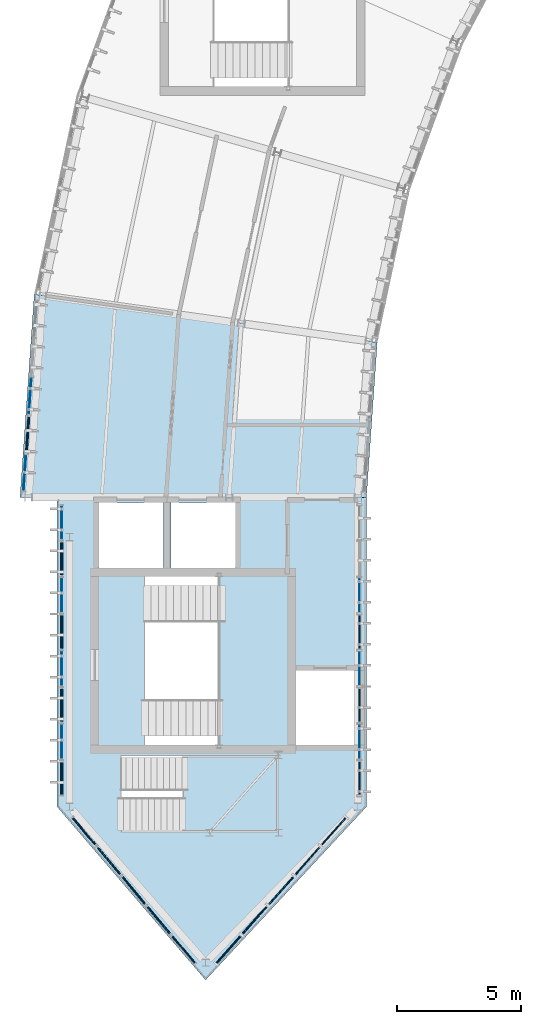
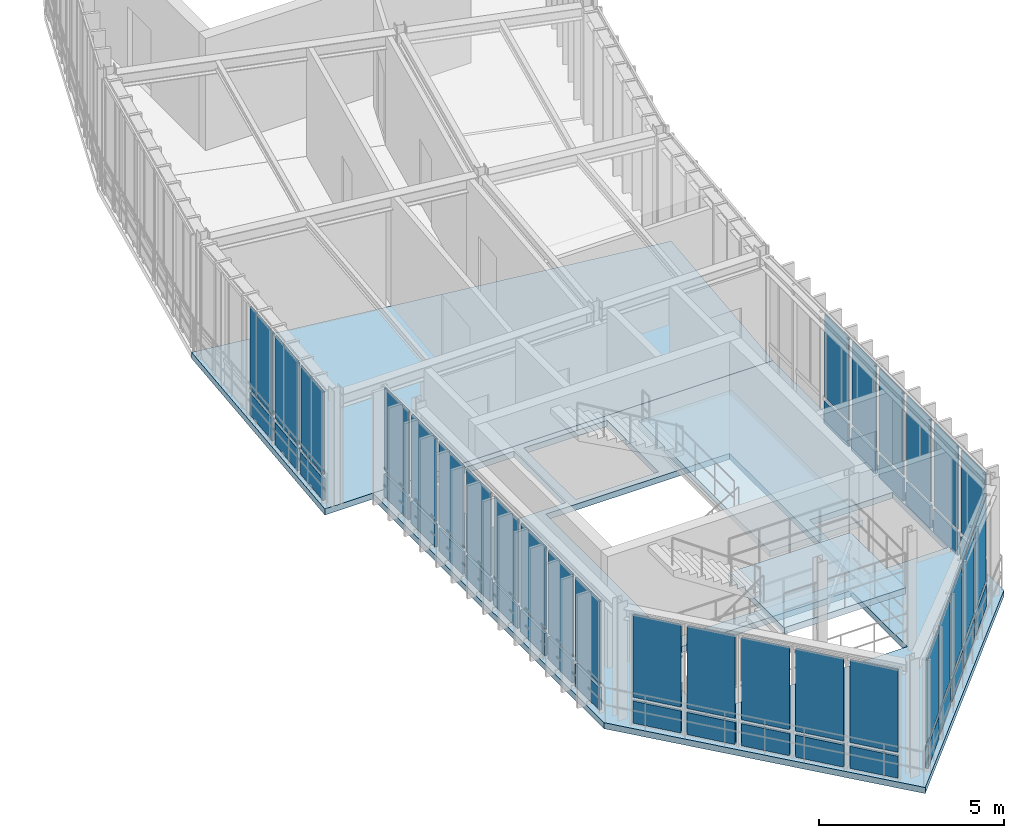
# One storey, part 9 of 25: 54 plates, 4 slabs, 7 elements without a shape of their own.
"""IFC4 building model written with IfcOpenShell, lengths in metres."""

from ifc_helpers import new_model, si_unit, direction, frame, origin, origin_2d, place, context, subcontext, project, spatial, polyline, rectangle, outline, extrude, material, layer, layer_set, type_object, element, aggregate, save


model = new_model("IFC4")

# Units and contexts
model_context = context("Model", 3, precision=1e-05, world=origin(), true_north=direction((0.0, 1.0)))
body_context = subcontext(model_context, "Body", "Model", "MODEL_VIEW")
ifc_project = project(units=[si_unit("LENGTHUNIT", "METRE"), si_unit("AREAUNIT", "SQUARE_METRE"), si_unit("VOLUMEUNIT", "CUBIC_METRE"), si_unit("PLANEANGLEUNIT", "RADIAN"), si_unit("MASSUNIT", "GRAM", prefix="KILO"), si_unit("THERMODYNAMICTEMPERATUREUNIT", "KELVIN"), si_unit("POWERUNIT", "WATT")], contexts=[model_context])

# Site, building, storey
site_placement = place(None, origin())
site = spatial("IfcSite", under=ifc_project, at=site_placement, CompositionType="ELEMENT")
building_placement = place(site_placement, origin())
building = spatial("IfcBuilding", under=site, at=building_placement, Name="Solvatero Civic Police Headquarters", CompositionType="ELEMENT")
storey_placement = place(building_placement, frame((0.0, 0.0, 25.5)))
storey = spatial("IfcBuildingStorey", under=building, at=storey_placement, Name="L06", CompositionType="ELEMENT", Elevation=25.5)

# Curtain wall, plates
ifc_material_1 = material(Name="Anodized Bronze Aluminium", Category="aluminium")
ifc_layer_1 = layer(ifc_material_1, 0.179931640625)
ifc_layer_set_1 = layer_set([ifc_layer_1], Name="Anodized Bronze Aluminium")
curtain_wall_type_1 = type_object("IfcCurtainWallType", Name="CW-ARC-OUT", PredefinedType="USERDEFINED", material=ifc_layer_set_1)
curtain_wall_1_placement = place(storey_placement, origin())
curtain_wall_1 = element("IfcCurtainWall", 1, at=curtain_wall_1_placement, inside=storey, type_object=curtain_wall_type_1, Name="Curtain Wall CW-R2-L06-ARC-OUT-B12", ObjectType="UNITISED", PredefinedType="USERDEFINED")
ifc_material_2 = material(Name="Triple Low-E Laminated Glass", Category="glass")
ifc_layer_2 = layer(ifc_material_2, 0.0380859375)
ifc_layer_set_2 = layer_set([ifc_layer_2], Name="Triple Low-E Laminated Glass")
plate_type_1 = type_object("IfcPlateType", Name="CWP-GLZ-38", PredefinedType="CURTAIN_PANEL", material=ifc_layer_set_2)
plate_1_placement = place(storey_placement, frame((35.40673828125, 30.102294921875, 0.909912109375), z_axis=(0.0, 0.0, 1.0), x_axis=(-0.069739062956, -0.997565267588, 0.0)))
plate_1 = element("IfcPlate", 2, at=plate_1_placement, type_object=plate_type_1, Name="CW-R2-L06-ARC-OUT-B12 Vision Glazing 3", PredefinedType="CURTAIN_PANEL", context=body_context, shape_type="SweptSolid", body=[
    extrude(rectangle(XDim=1.382568359375, YDim=0.0380859375, at=origin_2d()), origin(), (0.0, 0.0, 1.0), 2.72998046875),
])
plate_2_placement = place(storey_placement, frame((35.188720703125, 26.98486328125, 0.909912109375), z_axis=(0.0, 0.0, 1.0), x_axis=(-0.069739062956, -0.997565267588, 0.0)))
plate_2 = element("IfcPlate", 3, at=plate_2_placement, type_object=plate_type_1, Name="CW-R2-L06-ARC-OUT-B12 Vision Glazing 5", PredefinedType="CURTAIN_PANEL", context=body_context, shape_type="SweptSolid", body=[
    extrude(rectangle(XDim=1.382568359375, YDim=0.0380859375, at=origin_2d()), origin(), (0.0, 0.0, 1.0), 2.72998046875),
])

ifc_layer_3 = layer(ifc_material_1, 0.179931640625)
ifc_layer_set_3 = layer_set([ifc_layer_3], Name="Anodized Bronze Aluminium")
curtain_wall_type_2 = type_object("IfcCurtainWallType", Name="CW-PROW-GLZ", PredefinedType="USERDEFINED", material=ifc_layer_set_3)
curtain_wall_2_placement = place(storey_placement, origin())
curtain_wall_2 = element("IfcCurtainWall", 4, at=curtain_wall_2_placement, inside=storey, type_object=curtain_wall_type_2, Name="Curtain Wall CW-R2-L06-PROW-W", ObjectType="UNITISED", PredefinedType="USERDEFINED")
plate_3_placement = place(storey_placement, frame((36.679931640625, 25.00048828125, 0.909912109375), z_axis=(0.0, 0.0, 1.0), x_axis=(0.0, -1.0, 0.0)))
plate_3 = element("IfcPlate", 5, at=plate_3_placement, type_object=plate_type_1, Name="CW-R2-L06-PROW-W Vision Glazing 1", PredefinedType="CURTAIN_PANEL", context=body_context, shape_type="SweptSolid", body=[
    extrude(rectangle(XDim=1.298583984375, YDim=0.0380859375, at=origin_2d()), origin(), (0.0, 0.0, 1.0), 2.72998046875),
])
plate_4_placement = place(storey_placement, frame((36.679931640625, 22.043212890625, 0.909912109375), z_axis=(0.0, 0.0, 1.0), x_axis=(0.0, -1.0, 0.0)))
plate_4 = element("IfcPlate", 6, at=plate_4_placement, type_object=plate_type_1, Name="CW-R2-L06-PROW-W Vision Glazing 3", PredefinedType="CURTAIN_PANEL", context=body_context, shape_type="SweptSolid", body=[
    extrude(rectangle(XDim=1.298828125, YDim=0.0380859375, at=origin_2d()), origin(), (0.0, 0.0, 1.0), 2.72998046875),
])
plate_5_placement = place(storey_placement, frame((36.679931640625, 19.085693359375, 0.909912109375), z_axis=(0.0, 0.0, 1.0), x_axis=(0.0, -1.0, 0.0)))
plate_5 = element("IfcPlate", 7, at=plate_5_placement, type_object=plate_type_1, Name="CW-R2-L06-PROW-W Vision Glazing 5", PredefinedType="CURTAIN_PANEL", context=body_context, shape_type="SweptSolid", body=[
    extrude(rectangle(XDim=1.298828125, YDim=0.0380859375, at=origin_2d()), origin(), (0.0, 0.0, 1.0), 2.72998046875),
])
plate_6_placement = place(storey_placement, frame((36.679931640625, 16.128173828125, 0.909912109375), z_axis=(0.0, 0.0, 1.0), x_axis=(0.0, -1.0, 0.0)))
plate_6 = element("IfcPlate", 8, at=plate_6_placement, type_object=plate_type_1, Name="CW-R2-L06-PROW-W Vision Glazing 7", PredefinedType="CURTAIN_PANEL", context=body_context, shape_type="SweptSolid", body=[
    extrude(rectangle(XDim=1.298828125, YDim=0.0380859375, at=origin_2d()), origin(), (0.0, 0.0, 1.0), 2.72998046875),
])

curtain_wall_3_placement = place(storey_placement, origin())
curtain_wall_3 = element("IfcCurtainWall", 9, at=curtain_wall_3_placement, inside=storey, type_object=curtain_wall_type_2, Name="Curtain Wall CW-R2-L06-PROW-E", ObjectType="UNITISED", PredefinedType="USERDEFINED")
plate_7_placement = place(storey_placement, frame((48.719970703125, 16.128173828125, 0.909912109375), z_axis=(0.0, 0.0, 1.0), x_axis=(0.0, 1.0, 0.0)))
plate_7 = element("IfcPlate", 10, at=plate_7_placement, type_object=plate_type_1, Name="CW-R2-L06-PROW-E Vision Glazing 2", PredefinedType="CURTAIN_PANEL", context=body_context, shape_type="SweptSolid", body=[
    extrude(rectangle(XDim=1.298583984375, YDim=0.0380859375, at=origin_2d()), origin(), (0.0, 0.0, 1.0), 2.72998046875),
])
plate_8_placement = place(storey_placement, frame((48.719970703125, 19.085693359375, 0.909912109375), z_axis=(0.0, 0.0, 1.0), x_axis=(0.0, 1.0, 0.0)))
plate_8 = element("IfcPlate", 11, at=plate_8_placement, type_object=plate_type_1, Name="CW-R2-L06-PROW-E Vision Glazing 4", PredefinedType="CURTAIN_PANEL", context=body_context, shape_type="SweptSolid", body=[
    extrude(rectangle(XDim=1.298828125, YDim=0.0380859375, at=origin_2d()), origin(), (0.0, 0.0, 1.0), 2.72998046875),
])
plate_9_placement = place(storey_placement, frame((48.719970703125, 22.043212890625, 0.909912109375), z_axis=(0.0, 0.0, 1.0), x_axis=(0.0, 1.0, 0.0)))
plate_9 = element("IfcPlate", 12, at=plate_9_placement, type_object=plate_type_1, Name="CW-R2-L06-PROW-E Vision Glazing 6", PredefinedType="CURTAIN_PANEL", context=body_context, shape_type="SweptSolid", body=[
    extrude(rectangle(XDim=1.298828125, YDim=0.0380859375, at=origin_2d()), origin(), (0.0, 0.0, 1.0), 2.72998046875),
])

curtain_wall_4_placement = place(storey_placement, origin())
curtain_wall_4 = element("IfcCurtainWall", 13, at=curtain_wall_4_placement, inside=storey, type_object=curtain_wall_type_2, Name="Curtain Wall CW-R2-L06-PROW-SW", ObjectType="UNITISED", PredefinedType="USERDEFINED")
plate_10_placement = place(storey_placement, frame((37.5908203125, 12.50634765625, 0.909912109375), z_axis=(0.0, 0.0, 1.0), x_axis=(0.643282165541, -0.765629189293, 0.0)))
plate_10 = element("IfcPlate", 14, at=plate_10_placement, type_object=plate_type_1, Name="CW-R2-L06-PROW-SW Vision Glazing 1", PredefinedType="CURTAIN_PANEL", context=body_context, shape_type="SweptSolid", body=[
    extrude(rectangle(XDim=1.381591796875, YDim=0.0380859375, at=origin_2d()), origin(), (0.0, 0.0, 1.0), 2.72998046875),
])
plate_11_placement = place(storey_placement, frame((39.60009765625, 10.114990234375, 0.909912109375), z_axis=(0.0, 0.0, 1.0), x_axis=(0.643282165541, -0.765629189293, 0.0)))
plate_11 = element("IfcPlate", 15, at=plate_11_placement, type_object=plate_type_1, Name="CW-R2-L06-PROW-SW Vision Glazing 3", PredefinedType="CURTAIN_PANEL", context=body_context, shape_type="SweptSolid", body=[
    extrude(rectangle(XDim=1.381591796875, YDim=0.0380859375, at=origin_2d()), origin(), (0.0, 0.0, 1.0), 2.72998046875),
])
plate_12_placement = place(storey_placement, frame((41.609130859375, 7.723876953125, 0.909912109375), z_axis=(0.0, 0.0, 1.0), x_axis=(0.643282165541, -0.765629189293, 0.0)))
plate_12 = element("IfcPlate", 16, at=plate_12_placement, type_object=plate_type_1, Name="CW-R2-L06-PROW-SW Vision Glazing 5", PredefinedType="CURTAIN_PANEL", context=body_context, shape_type="SweptSolid", body=[
    extrude(rectangle(XDim=1.381591796875, YDim=0.0380859375, at=origin_2d()), origin(), (0.0, 0.0, 1.0), 2.72998046875),
])

curtain_wall_5_placement = place(storey_placement, origin())
curtain_wall_5 = element("IfcCurtainWall", 17, at=curtain_wall_5_placement, inside=storey, type_object=curtain_wall_type_2, Name="Curtain Wall CW-R2-L06-PROW-SE", ObjectType="UNITISED", PredefinedType="USERDEFINED")
plate_13_placement = place(storey_placement, frame((44.486083984375, 8.9189453125, 0.909912109375), z_axis=(0.0, 0.0, 1.0), x_axis=(0.664656781592, 0.747148822313, 0.0)))
plate_13 = element("IfcPlate", 18, at=plate_13_placement, type_object=plate_type_1, Name="CW-R2-L06-PROW-SE Vision Glazing 2", PredefinedType="CURTAIN_PANEL", context=body_context, shape_type="SweptSolid", body=[
    extrude(rectangle(XDim=1.4208984375, YDim=0.0380859375, at=origin_2d()), origin(), (0.0, 0.0, 1.0), 2.72998046875),
])
plate_14_placement = place(storey_placement, frame((46.614013671875, 11.31103515625, 0.909912109375), z_axis=(0.0, 0.0, 1.0), x_axis=(0.664656781592, 0.747148822313, 0.0)))
plate_14 = element("IfcPlate", 19, at=plate_14_placement, type_object=plate_type_1, Name="CW-R2-L06-PROW-SE Vision Glazing 4", PredefinedType="CURTAIN_PANEL", context=body_context, shape_type="SweptSolid", body=[
    extrude(rectangle(XDim=1.4208984375, YDim=0.0380859375, at=origin_2d()), origin(), (0.0, 0.0, 1.0), 2.72998046875),
])

# Plate
ifc_material_3 = material(Name="Acoustic Ballistic Laminated Glass", Category="glass")
ifc_layer_4 = layer(ifc_material_3, 0.0439453125)
ifc_layer_set_4 = layer_set([ifc_layer_4], Name="Acoustic Ballistic Laminated Glass")
plate_type_2 = type_object("IfcPlateType", Name="CWP-GLZ-44", PredefinedType="CURTAIN_PANEL", material=ifc_layer_set_4)
plate_15_placement = place(storey_placement, frame((35.2978515625, 28.543701171875, 0.909912109375), z_axis=(0.0, 0.0, 1.0), x_axis=(-0.069739062956, -0.997565267588, 0.0)))
plate_15 = element("IfcPlate", 20, at=plate_15_placement, type_object=plate_type_2, Name="CW-R2-L06-ARC-OUT-B12 Vision Glazing 4", PredefinedType="CURTAIN_PANEL", context=body_context, shape_type="SweptSolid", body=[
    extrude(rectangle(XDim=1.382568359375, YDim=0.0439453125, at=origin_2d()), origin(), (0.0, 0.0, 1.0), 2.72998046875),
])

plate_16_placement = place(storey_placement, frame((36.679931640625, 23.52197265625, 0.909912109375), z_axis=(0.0, 0.0, 1.0), x_axis=(0.0, -1.0, 0.0)))
plate_16 = element("IfcPlate", 21, at=plate_16_placement, type_object=plate_type_2, Name="CW-R2-L06-PROW-W Vision Glazing 2", PredefinedType="CURTAIN_PANEL", context=body_context, shape_type="SweptSolid", body=[
    extrude(rectangle(XDim=1.298583984375, YDim=0.0439453125, at=origin_2d()), origin(), (0.0, 0.0, 1.0), 2.72998046875),
])

plate_17_placement = place(storey_placement, frame((36.679931640625, 20.564453125, 0.909912109375), z_axis=(0.0, 0.0, 1.0), x_axis=(0.0, -1.0, 0.0)))
plate_17 = element("IfcPlate", 22, at=plate_17_placement, type_object=plate_type_2, Name="CW-R2-L06-PROW-W Vision Glazing 4", PredefinedType="CURTAIN_PANEL", context=body_context, shape_type="SweptSolid", body=[
    extrude(rectangle(XDim=1.298828125, YDim=0.0439453125, at=origin_2d()), origin(), (0.0, 0.0, 1.0), 2.72998046875),
])

plate_18_placement = place(storey_placement, frame((36.679931640625, 17.60693359375, 0.909912109375), z_axis=(0.0, 0.0, 1.0), x_axis=(0.0, -1.0, 0.0)))
plate_18 = element("IfcPlate", 23, at=plate_18_placement, type_object=plate_type_2, Name="CW-R2-L06-PROW-W Vision Glazing 6", PredefinedType="CURTAIN_PANEL", context=body_context, shape_type="SweptSolid", body=[
    extrude(rectangle(XDim=1.298828125, YDim=0.0439453125, at=origin_2d()), origin(), (0.0, 0.0, 1.0), 2.72998046875),
])

plate_19_placement = place(storey_placement, frame((36.679931640625, 14.6494140625, 0.909912109375), z_axis=(0.0, 0.0, 1.0), x_axis=(0.0, -1.0, 0.0)))
plate_19 = element("IfcPlate", 24, at=plate_19_placement, type_object=plate_type_2, Name="CW-R2-L06-PROW-W Vision Glazing 8", PredefinedType="CURTAIN_PANEL", context=body_context, shape_type="SweptSolid", body=[
    extrude(rectangle(XDim=1.298828125, YDim=0.0439453125, at=origin_2d()), origin(), (0.0, 0.0, 1.0), 2.72998046875),
])

plate_20_placement = place(storey_placement, frame((48.719970703125, 14.6494140625, 0.909912109375), z_axis=(0.0, 0.0, 1.0), x_axis=(0.0, 1.0, 0.0)))
plate_20 = element("IfcPlate", 25, at=plate_20_placement, type_object=plate_type_2, Name="CW-R2-L06-PROW-E Vision Glazing 1", PredefinedType="CURTAIN_PANEL", context=body_context, shape_type="SweptSolid", body=[
    extrude(rectangle(XDim=1.298583984375, YDim=0.0439453125, at=origin_2d()), origin(), (0.0, 0.0, 1.0), 2.72998046875),
])

plate_21_placement = place(storey_placement, frame((48.719970703125, 17.60693359375, 0.909912109375), z_axis=(0.0, 0.0, 1.0), x_axis=(0.0, 1.0, 0.0)))
plate_21 = element("IfcPlate", 26, at=plate_21_placement, type_object=plate_type_2, Name="CW-R2-L06-PROW-E Vision Glazing 3", PredefinedType="CURTAIN_PANEL", context=body_context, shape_type="SweptSolid", body=[
    extrude(rectangle(XDim=1.298828125, YDim=0.0439453125, at=origin_2d()), origin(), (0.0, 0.0, 1.0), 2.72998046875),
])

plate_22_placement = place(storey_placement, frame((48.719970703125, 20.564453125, 0.909912109375), z_axis=(0.0, 0.0, 1.0), x_axis=(0.0, 1.0, 0.0)))
plate_22 = element("IfcPlate", 27, at=plate_22_placement, type_object=plate_type_2, Name="CW-R2-L06-PROW-E Vision Glazing 5", PredefinedType="CURTAIN_PANEL", context=body_context, shape_type="SweptSolid", body=[
    extrude(rectangle(XDim=1.298828125, YDim=0.0439453125, at=origin_2d()), origin(), (0.0, 0.0, 1.0), 2.72998046875),
])

plate_23_placement = place(storey_placement, frame((38.595458984375, 11.310791015625, 0.909912109375), z_axis=(0.0, 0.0, 1.0), x_axis=(0.643282165541, -0.765629189293, 0.0)))
plate_23 = element("IfcPlate", 28, at=plate_23_placement, type_object=plate_type_2, Name="CW-R2-L06-PROW-SW Vision Glazing 2", PredefinedType="CURTAIN_PANEL", context=body_context, shape_type="SweptSolid", body=[
    extrude(rectangle(XDim=1.381591796875, YDim=0.0439453125, at=origin_2d()), origin(), (0.0, 0.0, 1.0), 2.72998046875),
])

plate_24_placement = place(storey_placement, frame((40.6044921875, 8.91943359375, 0.909912109375), z_axis=(0.0, 0.0, 1.0), x_axis=(0.643282165541, -0.765629189293, 0.0)))
plate_24 = element("IfcPlate", 29, at=plate_24_placement, type_object=plate_type_2, Name="CW-R2-L06-PROW-SW Vision Glazing 4", PredefinedType="CURTAIN_PANEL", context=body_context, shape_type="SweptSolid", body=[
    extrude(rectangle(XDim=1.381591796875, YDim=0.0439453125, at=origin_2d()), origin(), (0.0, 0.0, 1.0), 2.72998046875),
])

plate_25_placement = place(storey_placement, frame((43.421875, 7.722900390625, 0.909912109375), z_axis=(0.0, 0.0, 1.0), x_axis=(0.664656781592, 0.747148822313, 0.0)))
plate_25 = element("IfcPlate", 30, at=plate_25_placement, type_object=plate_type_2, Name="CW-R2-L06-PROW-SE Vision Glazing 1", PredefinedType="CURTAIN_PANEL", context=body_context, shape_type="SweptSolid", body=[
    extrude(rectangle(XDim=1.4208984375, YDim=0.0439453125, at=origin_2d()), origin(), (0.0, 0.0, 1.0), 2.72998046875),
])

plate_26_placement = place(storey_placement, frame((45.550048828125, 10.114990234375, 0.909912109375), z_axis=(0.0, 0.0, 1.0), x_axis=(0.664656781592, 0.747148822313, 0.0)))
plate_26 = element("IfcPlate", 31, at=plate_26_placement, type_object=plate_type_2, Name="CW-R2-L06-PROW-SE Vision Glazing 3", PredefinedType="CURTAIN_PANEL", context=body_context, shape_type="SweptSolid", body=[
    extrude(rectangle(XDim=1.4208984375, YDim=0.0439453125, at=origin_2d()), origin(), (0.0, 0.0, 1.0), 2.72998046875),
])

plate_27_placement = place(storey_placement, frame((47.677978515625, 12.507080078125, 0.909912109375), z_axis=(0.0, 0.0, 1.0), x_axis=(0.664656781592, 0.747148822313, 0.0)))
plate_27 = element("IfcPlate", 32, at=plate_27_placement, type_object=plate_type_2, Name="CW-R2-L06-PROW-SE Vision Glazing 5", PredefinedType="CURTAIN_PANEL", context=body_context, shape_type="SweptSolid", body=[
    extrude(rectangle(XDim=1.4208984375, YDim=0.0439453125, at=origin_2d()), origin(), (0.0, 0.0, 1.0), 2.72998046875),
])

ifc_material_4 = material(Name="Insulated Bronze Aluminium Spandrel", Category="aluminium")
ifc_layer_5 = layer(ifc_material_4, 0.06005859375)
ifc_layer_set_5 = layer_set([ifc_layer_5], Name="Insulated Bronze Aluminium Spandrel")
plate_type_3 = type_object("IfcPlateType", Name="CWP-SPN-60", PredefinedType="CURTAIN_PANEL", material=ifc_layer_set_5)
plate_28_placement = place(storey_placement, frame((35.40673828125, 30.102294921875, 0.06005859375), z_axis=(0.0, 0.0, 1.0), x_axis=(-0.069739062956, -0.997565267588, 0.0)))
plate_28 = element("IfcPlate", 33, at=plate_28_placement, type_object=plate_type_3, Name="CW-R2-L06-ARC-OUT-B12 Spandrel Panel 3", PredefinedType="CURTAIN_PANEL", context=body_context, shape_type="SweptSolid", body=[
    extrude(rectangle(XDim=1.382568359375, YDim=0.06005859375, at=origin_2d()), origin(), (0.0, 0.0, 1.0), 0.72998046875),
])

plate_29_placement = place(storey_placement, frame((35.188720703125, 26.98486328125, 0.06005859375), z_axis=(0.0, 0.0, 1.0), x_axis=(-0.069739062956, -0.997565267588, 0.0)))
plate_29 = element("IfcPlate", 34, at=plate_29_placement, type_object=plate_type_3, Name="CW-R2-L06-ARC-OUT-B12 Spandrel Panel 5", PredefinedType="CURTAIN_PANEL", context=body_context, shape_type="SweptSolid", body=[
    extrude(rectangle(XDim=1.382568359375, YDim=0.06005859375, at=origin_2d()), origin(), (0.0, 0.0, 1.0), 0.72998046875),
])

plate_30_placement = place(storey_placement, frame((36.679931640625, 25.00048828125, 0.06005859375), z_axis=(0.0, 0.0, 1.0), x_axis=(0.0, -1.0, 0.0)))
plate_30 = element("IfcPlate", 35, at=plate_30_placement, type_object=plate_type_3, Name="CW-R2-L06-PROW-W Spandrel Panel 1", PredefinedType="CURTAIN_PANEL", context=body_context, shape_type="SweptSolid", body=[
    extrude(rectangle(XDim=1.298583984375, YDim=0.06005859375, at=origin_2d()), origin(), (0.0, 0.0, 1.0), 0.72998046875),
])

plate_31_placement = place(storey_placement, frame((36.679931640625, 22.043212890625, 0.06005859375), z_axis=(0.0, 0.0, 1.0), x_axis=(0.0, -1.0, 0.0)))
plate_31 = element("IfcPlate", 36, at=plate_31_placement, type_object=plate_type_3, Name="CW-R2-L06-PROW-W Spandrel Panel 3", PredefinedType="CURTAIN_PANEL", context=body_context, shape_type="SweptSolid", body=[
    extrude(rectangle(XDim=1.298828125, YDim=0.06005859375, at=origin_2d()), origin(), (0.0, 0.0, 1.0), 0.72998046875),
])

plate_32_placement = place(storey_placement, frame((36.679931640625, 19.085693359375, 0.06005859375), z_axis=(0.0, 0.0, 1.0), x_axis=(0.0, -1.0, 0.0)))
plate_32 = element("IfcPlate", 37, at=plate_32_placement, type_object=plate_type_3, Name="CW-R2-L06-PROW-W Spandrel Panel 5", PredefinedType="CURTAIN_PANEL", context=body_context, shape_type="SweptSolid", body=[
    extrude(rectangle(XDim=1.298828125, YDim=0.06005859375, at=origin_2d()), origin(), (0.0, 0.0, 1.0), 0.72998046875),
])

plate_33_placement = place(storey_placement, frame((36.679931640625, 16.128173828125, 0.06005859375), z_axis=(0.0, 0.0, 1.0), x_axis=(0.0, -1.0, 0.0)))
plate_33 = element("IfcPlate", 38, at=plate_33_placement, type_object=plate_type_3, Name="CW-R2-L06-PROW-W Spandrel Panel 7", PredefinedType="CURTAIN_PANEL", context=body_context, shape_type="SweptSolid", body=[
    extrude(rectangle(XDim=1.298828125, YDim=0.06005859375, at=origin_2d()), origin(), (0.0, 0.0, 1.0), 0.72998046875),
])

plate_34_placement = place(storey_placement, frame((48.719970703125, 16.128173828125, 0.06005859375), z_axis=(0.0, 0.0, 1.0), x_axis=(0.0, 1.0, 0.0)))
plate_34 = element("IfcPlate", 39, at=plate_34_placement, type_object=plate_type_3, Name="CW-R2-L06-PROW-E Spandrel Panel 2", PredefinedType="CURTAIN_PANEL", context=body_context, shape_type="SweptSolid", body=[
    extrude(rectangle(XDim=1.298583984375, YDim=0.06005859375, at=origin_2d()), origin(), (0.0, 0.0, 1.0), 0.72998046875),
])

plate_35_placement = place(storey_placement, frame((48.719970703125, 19.085693359375, 0.06005859375), z_axis=(0.0, 0.0, 1.0), x_axis=(0.0, 1.0, 0.0)))
plate_35 = element("IfcPlate", 40, at=plate_35_placement, type_object=plate_type_3, Name="CW-R2-L06-PROW-E Spandrel Panel 4", PredefinedType="CURTAIN_PANEL", context=body_context, shape_type="SweptSolid", body=[
    extrude(rectangle(XDim=1.298828125, YDim=0.06005859375, at=origin_2d()), origin(), (0.0, 0.0, 1.0), 0.72998046875),
])

plate_36_placement = place(storey_placement, frame((48.719970703125, 22.043212890625, 0.06005859375), z_axis=(0.0, 0.0, 1.0), x_axis=(0.0, 1.0, 0.0)))
plate_36 = element("IfcPlate", 41, at=plate_36_placement, type_object=plate_type_3, Name="CW-R2-L06-PROW-E Spandrel Panel 6", PredefinedType="CURTAIN_PANEL", context=body_context, shape_type="SweptSolid", body=[
    extrude(rectangle(XDim=1.298828125, YDim=0.06005859375, at=origin_2d()), origin(), (0.0, 0.0, 1.0), 0.72998046875),
])

plate_37_placement = place(storey_placement, frame((37.5908203125, 12.50634765625, 0.06005859375), z_axis=(0.0, 0.0, 1.0), x_axis=(0.643282165541, -0.765629189293, 0.0)))
plate_37 = element("IfcPlate", 42, at=plate_37_placement, type_object=plate_type_3, Name="CW-R2-L06-PROW-SW Spandrel Panel 1", PredefinedType="CURTAIN_PANEL", context=body_context, shape_type="SweptSolid", body=[
    extrude(rectangle(XDim=1.381591796875, YDim=0.06005859375, at=origin_2d()), origin(), (0.0, 0.0, 1.0), 0.72998046875),
])

plate_38_placement = place(storey_placement, frame((39.60009765625, 10.114990234375, 0.06005859375), z_axis=(0.0, 0.0, 1.0), x_axis=(0.643282165541, -0.765629189293, 0.0)))
plate_38 = element("IfcPlate", 43, at=plate_38_placement, type_object=plate_type_3, Name="CW-R2-L06-PROW-SW Spandrel Panel 3", PredefinedType="CURTAIN_PANEL", context=body_context, shape_type="SweptSolid", body=[
    extrude(rectangle(XDim=1.381591796875, YDim=0.06005859375, at=origin_2d()), origin(), (0.0, 0.0, 1.0), 0.72998046875),
])

plate_39_placement = place(storey_placement, frame((41.609130859375, 7.723876953125, 0.06005859375), z_axis=(0.0, 0.0, 1.0), x_axis=(0.643282165541, -0.765629189293, 0.0)))
plate_39 = element("IfcPlate", 44, at=plate_39_placement, type_object=plate_type_3, Name="CW-R2-L06-PROW-SW Spandrel Panel 5", PredefinedType="CURTAIN_PANEL", context=body_context, shape_type="SweptSolid", body=[
    extrude(rectangle(XDim=1.381591796875, YDim=0.06005859375, at=origin_2d()), origin(), (0.0, 0.0, 1.0), 0.72998046875),
])

plate_40_placement = place(storey_placement, frame((44.486083984375, 8.9189453125, 0.06005859375), z_axis=(0.0, 0.0, 1.0), x_axis=(0.664656781592, 0.747148822313, 0.0)))
plate_40 = element("IfcPlate", 45, at=plate_40_placement, type_object=plate_type_3, Name="CW-R2-L06-PROW-SE Spandrel Panel 2", PredefinedType="CURTAIN_PANEL", context=body_context, shape_type="SweptSolid", body=[
    extrude(rectangle(XDim=1.4208984375, YDim=0.06005859375, at=origin_2d()), origin(), (0.0, 0.0, 1.0), 0.72998046875),
])

plate_41_placement = place(storey_placement, frame((46.614013671875, 11.31103515625, 0.06005859375), z_axis=(0.0, 0.0, 1.0), x_axis=(0.664656781592, 0.747148822313, 0.0)))
plate_41 = element("IfcPlate", 46, at=plate_41_placement, type_object=plate_type_3, Name="CW-R2-L06-PROW-SE Spandrel Panel 4", PredefinedType="CURTAIN_PANEL", context=body_context, shape_type="SweptSolid", body=[
    extrude(rectangle(XDim=1.4208984375, YDim=0.06005859375, at=origin_2d()), origin(), (0.0, 0.0, 1.0), 0.72998046875),
])

ifc_material_5 = material(Name="Limestone Veneer Spandrel Panel", Category="masonry")
ifc_layer_6 = layer(ifc_material_5, 0.074951171875)
ifc_layer_set_6 = layer_set([ifc_layer_6], Name="Limestone Veneer Spandrel Panel")
plate_type_4 = type_object("IfcPlateType", Name="CWP-SPN-75", PredefinedType="CURTAIN_PANEL", material=ifc_layer_set_6)
plate_42_placement = place(storey_placement, frame((35.2978515625, 28.543701171875, 0.06005859375), z_axis=(0.0, 0.0, 1.0), x_axis=(-0.069739062956, -0.997565267588, 0.0)))
plate_42 = element("IfcPlate", 47, at=plate_42_placement, type_object=plate_type_4, Name="CW-R2-L06-ARC-OUT-B12 Spandrel Panel 4", PredefinedType="CURTAIN_PANEL", context=body_context, shape_type="SweptSolid", body=[
    extrude(rectangle(XDim=1.382568359375, YDim=0.074951171875, at=origin_2d()), origin(), (0.0, 0.0, 1.0), 0.72998046875),
])

aggregate(curtain_wall_1, [plate_28, plate_1, plate_42, plate_15, plate_29, plate_2])

plate_43_placement = place(storey_placement, frame((36.679931640625, 23.52197265625, 0.06005859375), z_axis=(0.0, 0.0, 1.0), x_axis=(0.0, -1.0, 0.0)))
plate_43 = element("IfcPlate", 48, at=plate_43_placement, type_object=plate_type_4, Name="CW-R2-L06-PROW-W Spandrel Panel 2", PredefinedType="CURTAIN_PANEL", context=body_context, shape_type="SweptSolid", body=[
    extrude(rectangle(XDim=1.298583984375, YDim=0.074951171875, at=origin_2d()), origin(), (0.0, 0.0, 1.0), 0.72998046875),
])

plate_44_placement = place(storey_placement, frame((36.679931640625, 20.564453125, 0.06005859375), z_axis=(0.0, 0.0, 1.0), x_axis=(0.0, -1.0, 0.0)))
plate_44 = element("IfcPlate", 49, at=plate_44_placement, type_object=plate_type_4, Name="CW-R2-L06-PROW-W Spandrel Panel 4", PredefinedType="CURTAIN_PANEL", context=body_context, shape_type="SweptSolid", body=[
    extrude(rectangle(XDim=1.298828125, YDim=0.074951171875, at=origin_2d()), origin(), (0.0, 0.0, 1.0), 0.72998046875),
])

plate_45_placement = place(storey_placement, frame((36.679931640625, 17.60693359375, 0.06005859375), z_axis=(0.0, 0.0, 1.0), x_axis=(0.0, -1.0, 0.0)))
plate_45 = element("IfcPlate", 50, at=plate_45_placement, type_object=plate_type_4, Name="CW-R2-L06-PROW-W Spandrel Panel 6", PredefinedType="CURTAIN_PANEL", context=body_context, shape_type="SweptSolid", body=[
    extrude(rectangle(XDim=1.298828125, YDim=0.074951171875, at=origin_2d()), origin(), (0.0, 0.0, 1.0), 0.72998046875),
])

plate_46_placement = place(storey_placement, frame((36.679931640625, 14.6494140625, 0.06005859375), z_axis=(0.0, 0.0, 1.0), x_axis=(0.0, -1.0, 0.0)))
plate_46 = element("IfcPlate", 51, at=plate_46_placement, type_object=plate_type_4, Name="CW-R2-L06-PROW-W Spandrel Panel 8", PredefinedType="CURTAIN_PANEL", context=body_context, shape_type="SweptSolid", body=[
    extrude(rectangle(XDim=1.298828125, YDim=0.074951171875, at=origin_2d()), origin(), (0.0, 0.0, 1.0), 0.72998046875),
])

aggregate(curtain_wall_2, [plate_30, plate_3, plate_43, plate_16, plate_31, plate_4, plate_44, plate_17, plate_32, plate_5, plate_45, plate_18, plate_33, plate_6, plate_46, plate_19])

plate_47_placement = place(storey_placement, frame((48.719970703125, 14.6494140625, 0.06005859375), z_axis=(0.0, 0.0, 1.0), x_axis=(0.0, 1.0, 0.0)))
plate_47 = element("IfcPlate", 52, at=plate_47_placement, type_object=plate_type_4, Name="CW-R2-L06-PROW-E Spandrel Panel 1", PredefinedType="CURTAIN_PANEL", context=body_context, shape_type="SweptSolid", body=[
    extrude(rectangle(XDim=1.298583984375, YDim=0.074951171875, at=origin_2d()), origin(), (0.0, 0.0, 1.0), 0.72998046875),
])

plate_48_placement = place(storey_placement, frame((48.719970703125, 17.60693359375, 0.06005859375), z_axis=(0.0, 0.0, 1.0), x_axis=(0.0, 1.0, 0.0)))
plate_48 = element("IfcPlate", 53, at=plate_48_placement, type_object=plate_type_4, Name="CW-R2-L06-PROW-E Spandrel Panel 3", PredefinedType="CURTAIN_PANEL", context=body_context, shape_type="SweptSolid", body=[
    extrude(rectangle(XDim=1.298828125, YDim=0.074951171875, at=origin_2d()), origin(), (0.0, 0.0, 1.0), 0.72998046875),
])

plate_49_placement = place(storey_placement, frame((48.719970703125, 20.564453125, 0.06005859375), z_axis=(0.0, 0.0, 1.0), x_axis=(0.0, 1.0, 0.0)))
plate_49 = element("IfcPlate", 54, at=plate_49_placement, type_object=plate_type_4, Name="CW-R2-L06-PROW-E Spandrel Panel 5", PredefinedType="CURTAIN_PANEL", context=body_context, shape_type="SweptSolid", body=[
    extrude(rectangle(XDim=1.298828125, YDim=0.074951171875, at=origin_2d()), origin(), (0.0, 0.0, 1.0), 0.72998046875),
])

aggregate(curtain_wall_3, [plate_47, plate_20, plate_34, plate_7, plate_48, plate_21, plate_35, plate_8, plate_49, plate_22, plate_36, plate_9])

plate_50_placement = place(storey_placement, frame((38.595458984375, 11.310791015625, 0.06005859375), z_axis=(0.0, 0.0, 1.0), x_axis=(0.643282165541, -0.765629189293, 0.0)))
plate_50 = element("IfcPlate", 55, at=plate_50_placement, type_object=plate_type_4, Name="CW-R2-L06-PROW-SW Spandrel Panel 2", PredefinedType="CURTAIN_PANEL", context=body_context, shape_type="SweptSolid", body=[
    extrude(rectangle(XDim=1.381591796875, YDim=0.074951171875, at=origin_2d()), origin(), (0.0, 0.0, 1.0), 0.72998046875),
])

plate_51_placement = place(storey_placement, frame((40.6044921875, 8.91943359375, 0.06005859375), z_axis=(0.0, 0.0, 1.0), x_axis=(0.643282165541, -0.765629189293, 0.0)))
plate_51 = element("IfcPlate", 56, at=plate_51_placement, type_object=plate_type_4, Name="CW-R2-L06-PROW-SW Spandrel Panel 4", PredefinedType="CURTAIN_PANEL", context=body_context, shape_type="SweptSolid", body=[
    extrude(rectangle(XDim=1.381591796875, YDim=0.074951171875, at=origin_2d()), origin(), (0.0, 0.0, 1.0), 0.72998046875),
])

aggregate(curtain_wall_4, [plate_37, plate_10, plate_50, plate_23, plate_38, plate_11, plate_51, plate_24, plate_39, plate_12])

plate_52_placement = place(storey_placement, frame((43.421875, 7.722900390625, 0.06005859375), z_axis=(0.0, 0.0, 1.0), x_axis=(0.664656781592, 0.747148822313, 0.0)))
plate_52 = element("IfcPlate", 57, at=plate_52_placement, type_object=plate_type_4, Name="CW-R2-L06-PROW-SE Spandrel Panel 1", PredefinedType="CURTAIN_PANEL", context=body_context, shape_type="SweptSolid", body=[
    extrude(rectangle(XDim=1.4208984375, YDim=0.074951171875, at=origin_2d()), origin(), (0.0, 0.0, 1.0), 0.72998046875),
])

plate_53_placement = place(storey_placement, frame((45.550048828125, 10.114990234375, 0.06005859375), z_axis=(0.0, 0.0, 1.0), x_axis=(0.664656781592, 0.747148822313, 0.0)))
plate_53 = element("IfcPlate", 58, at=plate_53_placement, type_object=plate_type_4, Name="CW-R2-L06-PROW-SE Spandrel Panel 3", PredefinedType="CURTAIN_PANEL", context=body_context, shape_type="SweptSolid", body=[
    extrude(rectangle(XDim=1.4208984375, YDim=0.074951171875, at=origin_2d()), origin(), (0.0, 0.0, 1.0), 0.72998046875),
])

plate_54_placement = place(storey_placement, frame((47.677978515625, 12.507080078125, 0.06005859375), z_axis=(0.0, 0.0, 1.0), x_axis=(0.664656781592, 0.747148822313, 0.0)))
plate_54 = element("IfcPlate", 59, at=plate_54_placement, type_object=plate_type_4, Name="CW-R2-L06-PROW-SE Spandrel Panel 5", PredefinedType="CURTAIN_PANEL", context=body_context, shape_type="SweptSolid", body=[
    extrude(rectangle(XDim=1.4208984375, YDim=0.074951171875, at=origin_2d()), origin(), (0.0, 0.0, 1.0), 0.72998046875),
])

aggregate(curtain_wall_5, [plate_52, plate_25, plate_40, plate_13, plate_53, plate_26, plate_41, plate_14, plate_54, plate_27])

# Slabs
ifc_material_6 = material(Name="Concrete C35/45", Category="concrete")
ifc_layer_7 = layer(ifc_material_6, 0.199951171875)
ifc_layer_set_7 = layer_set([ifc_layer_7], Name="Concrete C35/45")
slab_type_1 = type_object("IfcSlabType", Name="SLB-COMP-200", PredefinedType="FLOOR", material=ifc_layer_set_7)
slab_1_placement = place(storey_placement, frame((0.0, 0.0, -0.199951171875)))
element("IfcSlab", 60, at=slab_1_placement, inside=storey, type_object=slab_type_1, Name="L06 South-West Prow Floor Slab", PredefinedType="FLOOR", context=body_context, shape_type="SweptSolid", body=[
    extrude(outline(polyline([(49.0, 13.5), (42.5, 6.5), (36.5, 13.5), (36.5, 26.0), (49.0, 26.0), (49.0, 13.5)]), holes=[polyline([(39.10009765625, 12.5), (45.39990234375, 12.5), (45.39990234375, 15.550048828125), (39.10009765625, 15.550048828125), (39.10009765625, 12.5)]), polyline([(46.10009765625, 16.0), (48.699951171875, 16.0), (48.699951171875, 19.0), (46.10009765625, 19.0), (46.10009765625, 16.0)]), polyline([(40.06005859375, 16.0), (45.800048828125, 16.0), (45.800048828125, 22.800048828125), (40.06005859375, 22.800048828125), (40.06005859375, 16.0)]), polyline([(38.199951171875, 25.800048828125), (38.199951171875, 23.0), (40.800048828125, 23.0), (40.800048828125, 25.800048828125), (38.199951171875, 25.800048828125)]), polyline([(41.10009765625, 25.800048828125), (41.10009765625, 23.0), (43.699951171875, 23.0), (43.699951171875, 25.800048828125), (41.10009765625, 25.800048828125)])]), origin(), (0.0, 0.0, 1.0), 0.199951171875),
])
slab_2_placement = place(storey_placement, frame((0.0, 0.0, -0.199951171875)))
element("IfcSlab", 61, at=slab_2_placement, inside=storey, type_object=slab_type_1, Name="L06 Operations Arc Floor Slab Bay 12", PredefinedType="FLOOR", context=body_context, shape_type="SweptSolid", body=[
    extrude(outline(polyline([(35.57421875, 34.209228515625), (49.437744140625, 32.2607421875), (49.0, 26.001953125), (36.498046875, 26.001953125), (36.498046875, 26.0), (35.0, 26.0), (35.57421875, 34.209228515625)])), origin(), (0.0, 0.0, 1.0), 0.199951171875),
])

# Stair, slab
ifc_material_7 = material(Name="Precast concrete C40/50", Category="concrete")
stair_type_1 = type_object("IfcStairType", Name="STR-C150-390", PredefinedType="HALF_TURN_STAIR", material=ifc_material_7)
stair_1_placement = place(storey_placement, origin())
stair_1 = element("IfcStair", 62, at=stair_1_placement, inside=storey, type_object=stair_type_1, Name="Protected Exit Stair ST-C1 (L06 to L07)", PredefinedType="HALF_TURN_STAIR")
ifc_layer_8 = layer(ifc_material_7, 0.199951171875)
ifc_layer_set_8 = layer_set([ifc_layer_8], Name="Precast concrete C40/50")
slab_type_2 = type_object("IfcSlabType", Name="SLB-LND-200", PredefinedType="LANDING", material=ifc_layer_set_8)
slab_3_placement = place(storey_placement, frame((0.0, 0.0, 1.75)))
slab_3 = element("IfcSlab", 63, at=slab_3_placement, type_object=slab_type_2, Name="ST-C1 L06 Half-Landing", PredefinedType="LANDING", context=body_context, shape_type="SweptSolid", body=[
    extrude(outline(polyline([(43.0400390625, 15.85009765625), (45.949951171875, 15.85009765625), (45.949951171875, 22.949951171875), (43.0400390625, 22.949951171875), (43.0400390625, 15.85009765625)])), origin(), (0.0, 0.0, 1.0), 0.199951171875),
])
aggregate(stair_1, [slab_3])

stair_type_2 = type_object("IfcStairType", Name="STR-PRW-390", PredefinedType="HALF_TURN_STAIR", material=ifc_material_7)
stair_2_placement = place(storey_placement, origin())
stair_2 = element("IfcStair", 64, at=stair_2_placement, inside=storey, type_object=stair_type_2, Name="Glazed Prow Ceremonial Stair (L06 to L07)", PredefinedType="HALF_TURN_STAIR")
ifc_layer_9 = layer(ifc_material_7, 0.215087890625)
ifc_layer_set_9 = layer_set([ifc_layer_9], Name="Precast concrete C40/50")
slab_type_3 = type_object("IfcSlabType", Name="SLB-LND-215", PredefinedType="LANDING", material=ifc_layer_set_9)
slab_4_placement = place(storey_placement, frame((0.0, 0.0, 1.735107421875)))
slab_4 = element("IfcSlab", 65, at=slab_4_placement, type_object=slab_type_3, Name="ST-PRW L06 Glazed Prow Half-Landing", PredefinedType="LANDING", context=body_context, shape_type="SweptSolid", body=[
    extrude(outline(polyline([(41.570068359375, 12.52001953125), (45.3798828125, 12.52001953125), (45.3798828125, 15.530029296875), (41.570068359375, 15.530029296875), (41.570068359375, 12.52001953125)])), origin(), (0.0, 0.0, 1.0), 0.21484375),
])
aggregate(stair_2, [slab_4])

save(model, "model.ifc")
